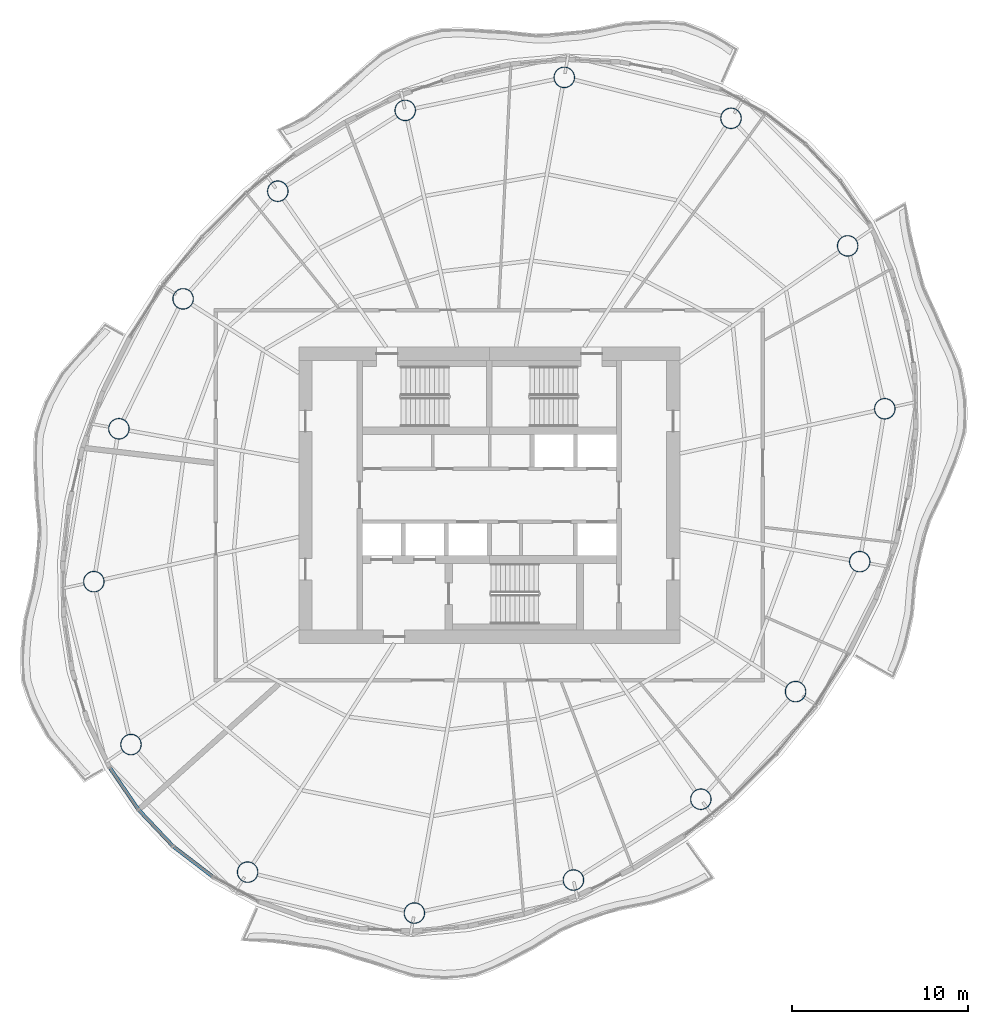
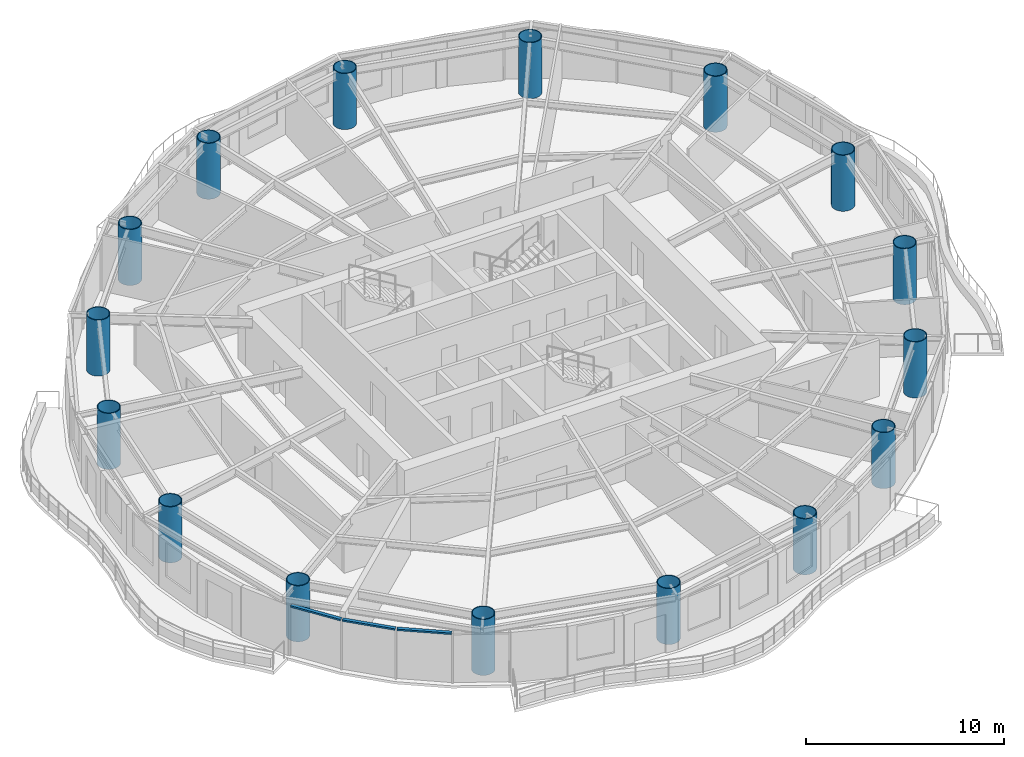
# One storey, part 1 of 14: 16 columns, 3 members, 3 elements without a shape of their own.
"""IFC4 building model written with IfcOpenShell, lengths in metres."""

from ifc_helpers import new_model, si_unit, direction, frame, origin, origin_2d, place, context, subcontext, project, spatial, rectangle, hollow_circle, extrude, material, material_profile, profile_set, type_object, element, aggregate, save


model = new_model("IFC4")

# Units and contexts
model_context = context("Model", 3, precision=1e-05, world=origin(), true_north=direction((0.0, 1.0)))
body_context = subcontext(model_context, "Body", "Model", "MODEL_VIEW")
ifc_project = project(units=[si_unit("LENGTHUNIT", "METRE"), si_unit("AREAUNIT", "SQUARE_METRE"), si_unit("VOLUMEUNIT", "CUBIC_METRE"), si_unit("PLANEANGLEUNIT", "RADIAN"), si_unit("MASSUNIT", "GRAM", prefix="KILO")], contexts=[model_context])

# Site, building, storey
site_placement = place(None, origin())
site = spatial("IfcSite", under=ifc_project, at=site_placement, CompositionType="ELEMENT")
building_placement = place(site_placement, origin())
building = spatial("IfcBuilding", under=site, at=building_placement, Name="Vermilion Reach Broadcast Tower", CompositionType="ELEMENT")
storey_placement = place(building_placement, frame((0.0, 0.0, 224.5)))
storey = spatial("IfcBuildingStorey", under=building, at=storey_placement, Name="L55", CompositionType="ELEMENT", Elevation=224.5)

# Columns
ifc_material_1 = material(Name="Concrete C60 infill in steel S460NL tube", Category="concrete")
ifc_material_profile_1 = material_profile(ifc_material_1, hollow_circle(Radius=0.60009765625, WallThickness=0.044921875, at=origin_2d()), Name="Concrete C60 infill in steel S460NL tube CFT 1200x45")
ifc_profile_set_1 = profile_set([ifc_material_profile_1], Name="Concrete C60 infill in steel S460NL tube")
column_type = type_object("IfcColumnType", Name="MC4 CFT 1200x45", PredefinedType="COLUMN", material=ifc_profile_set_1)
for number, where, z_axis, x_axis, name in (
    (1, (7.70361328125, 21.3701171875, 0.0), (0.0, 0.0, 1.0), (1.0, 0.0, 0.0), "Mega-column MC4-01"),
    (2, (-1.75, 23.691162109375, 0.0), (0.0, 0.0, 1.0), (1.0, 0.0, 0.0), "Mega-column MC4-02"),
    (3, (-10.769287109375, 21.818603515625, 0.0), (0.0, 0.0, 1.0), (1.0, 0.0, 0.0), "Mega-column MC4-03"),
    (4, (-17.993408203125, 17.23681640625, 0.0), (0.0, 0.0, 1.0), (1.0, 0.0, 0.0), "Mega-column MC4-04"),
    (5, (-23.36279296875, 11.134033203125, 0.0), (0.0, 0.0, 1.0), (1.0, 0.0, 0.0), "Mega-column MC4-05"),
    (6, (-27.002685546875, 3.767578125, 0.0), (0.0, 0.0, 1.0), (1.0, 0.0, 0.0), "Mega-column MC4-06"),
    (7, (-28.423828125, -4.9013671875, 0.0), (0.0, 0.0, 1.0), (1.0, 0.0, 0.0), "Mega-column MC4-07"),
    (8, (-26.318115234375, -14.13720703125, 0.0), (0.0, 0.0, 1.0), (1.0, 0.0, 0.0), "Mega-column MC4-08"),
    (9, (-19.70361328125, -21.3701171875, 0.0), (0.0, 0.0, 1.0), (1.0, 0.0, 0.0), "Mega-column MC4-09"),
    (10, (-10.25, -23.691162109375, 0.0), (0.0, 0.0, 1.0), (1.0, 0.0, 0.0), "Mega-column MC4-10"),
    (11, (-1.230712890625, -21.818603515625, 0.0), (0.0, 0.0, 1.0), (1.0, 0.0, 0.0), "Mega-column MC4-11"),
    (12, (5.993408203125, -17.23681640625, 0.0), (0.0, 0.0, 1.0), (1.0, 0.0, 0.0), "Mega-column MC4-12"),
    (13, (11.36279296875, -11.134033203125, 0.0), (0.0, 0.0, 1.0), (1.0, 0.0, 0.0), "Mega-column MC4-13"),
    (14, (15.002685546875, -3.767578125, 0.0), (0.0, 0.0, 1.0), (1.0, 0.0, 0.0), "Mega-column MC4-14"),
    (15, (16.423828125, 4.9013671875, 0.0), (0.0, 0.0, 1.0), (1.0, 0.0, 0.0), "Mega-column MC4-15"),
    (16, (14.318115234375, 14.13720703125, 0.0), (0.0, 0.0, 1.0), (1.0, 0.0, 0.0), "Mega-column MC4-16"),
):
    element("IfcColumn", number, at=place(storey_placement, frame(where, z_axis=z_axis, x_axis=x_axis)), inside=storey, type_object=column_type, Name=name, PredefinedType="COLUMN", context=body_context, shape_type="SweptSolid", body=[
        extrude(hollow_circle(Radius=0.60009765625, WallThickness=0.044921875, at=origin_2d()), origin(), (0.0, 0.0, 1.0), 3.449951171875),
    ])

# Curtain wall, member
ifc_material_2 = material(Name="Low-e laminated clear glass in aluminium frame", Category="aluminium")
curtain_wall_type = type_object("IfcCurtainWallType", Name="Slot curtain wall", PredefinedType="NOTDEFINED", material=ifc_material_2)
placement = place(storey_placement, origin())
curtain_wall_1 = element("IfcCurtainWall", 17, at=placement, inside=storey, type_object=curtain_wall_type, Name="Slot curtain wall L55 22", PredefinedType="NOTDEFINED")
ifc_material_3 = material(Name="Anodised aluminium", Category="aluminium")
ifc_material_profile_2 = material_profile(ifc_material_3, rectangle(XDim=0.199951171875, YDim=0.10009765625, at=origin_2d()), Name="Slot transom 200 x 100")
ifc_profile_set_2 = profile_set([ifc_material_profile_2], Name="Anodised aluminium")
member_type = type_object("IfcMemberType", Name="Slot transom 200 x 100", PredefinedType="USERDEFINED", material=ifc_profile_set_2)
member_1_placement = place(storey_placement, frame((-27.496337890625, -15.485107421875, 3.050048828125), z_axis=(0.564368577333, -0.825522930584, 0.0), x_axis=(0.825522930584, 0.564368577333, 0.0)))
member_1 = element("IfcMember", 18, at=member_1_placement, type_object=member_type, Name="Slot transom L55 22.1", ObjectType="TRANSOM", PredefinedType="USERDEFINED", context=body_context, shape_type="SweptSolid", body=[
    extrude(rectangle(XDim=0.199951171875, YDim=0.10009765625, at=origin_2d()), origin(), (0.0, 0.0, 1.0), 2.8037109375),
])
aggregate(curtain_wall_1, [member_1])

curtain_wall_2 = element("IfcCurtainWall", 19, at=placement, inside=storey, type_object=curtain_wall_type, Name="Slot curtain wall L55 23", PredefinedType="NOTDEFINED")
member_2_placement = place(storey_placement, frame((-25.864013671875, -17.86181640625, 3.050048828125), z_axis=(0.687425372124, -0.726255022537, 0.0), x_axis=(0.726255022537, 0.687425372124, 0.0)))
member_2 = element("IfcMember", 20, at=member_2_placement, type_object=member_type, Name="Slot transom L55 23.1", ObjectType="TRANSOM", PredefinedType="USERDEFINED", context=body_context, shape_type="SweptSolid", body=[
    extrude(rectangle(XDim=0.199951171875, YDim=0.10009765625, at=origin_2d()), origin(), (0.0, 0.0, 1.0), 2.779052734375),
])
aggregate(curtain_wall_2, [member_2])

curtain_wall_3 = element("IfcCurtainWall", 21, at=placement, inside=storey, type_object=curtain_wall_type, Name="Slot curtain wall L55 24", PredefinedType="NOTDEFINED")
member_3_placement = place(storey_placement, frame((-23.89453125, -19.933349609375, 3.050048828125), z_axis=(0.794143342988, -0.607730491902, 0.0), x_axis=(0.607730491902, 0.794143342988, 0.0)))
member_3 = element("IfcMember", 22, at=member_3_placement, type_object=member_type, Name="Slot transom L55 24.1", ObjectType="TRANSOM", PredefinedType="USERDEFINED", context=body_context, shape_type="SweptSolid", body=[
    extrude(rectangle(XDim=0.199951171875, YDim=0.10009765625, at=origin_2d()), origin(), (0.0, 0.0, 1.0), 2.779052734375),
])
aggregate(curtain_wall_3, [member_3])

save(model, "model.ifc")
